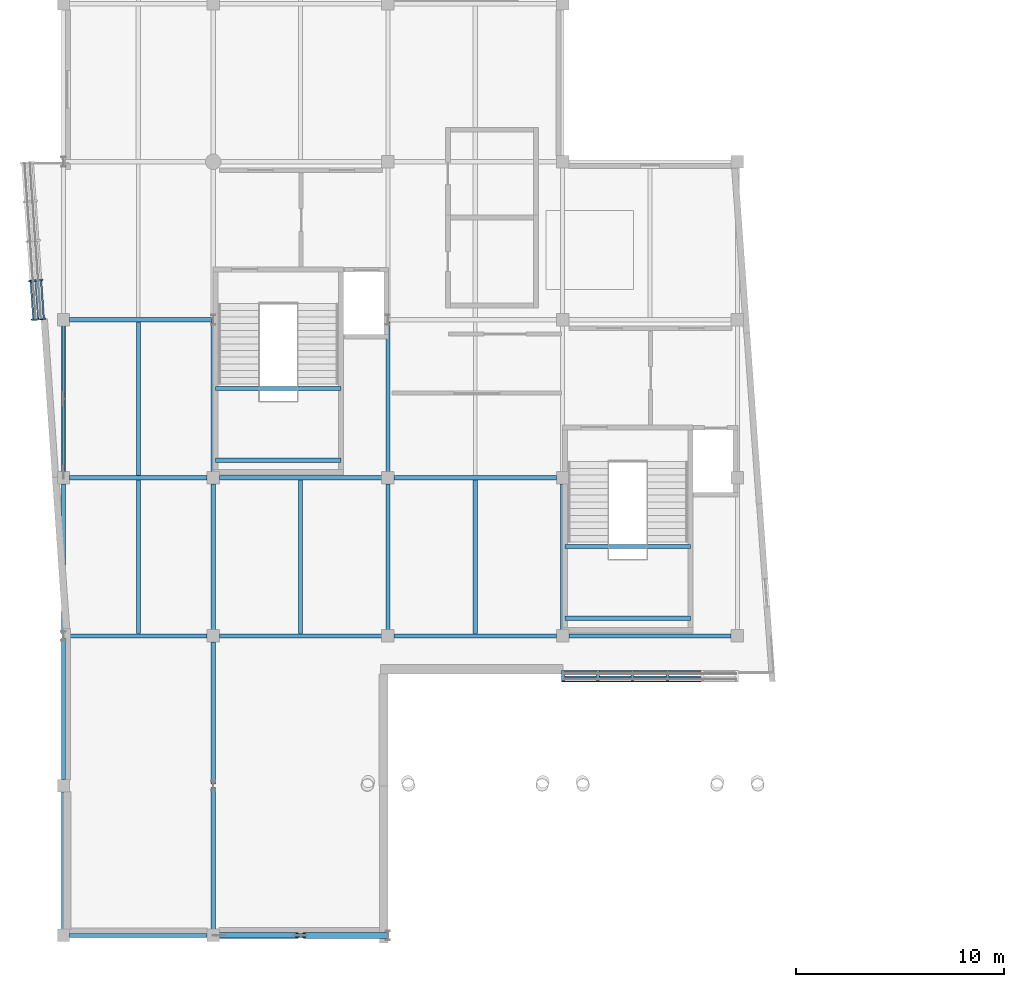
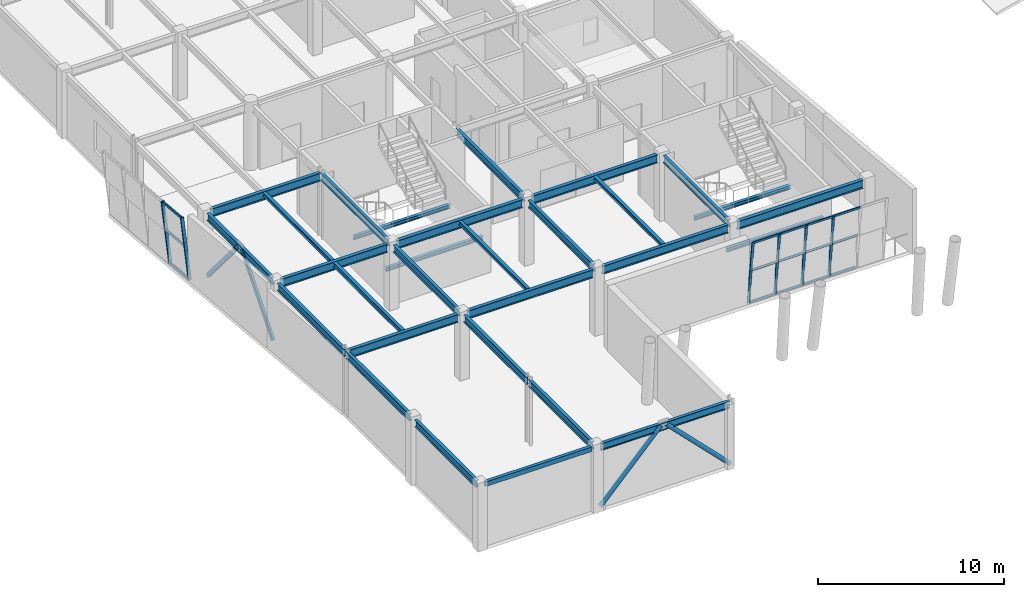
# One storey, part 9 of 28: 29 beams, 25 members, 2 elements without a shape of their own.
"""IFC4 building model written with IfcOpenShell, lengths in metres."""

import ifcopenshell
import ifcopenshell.guid

model = None  # the IFC model being written
_history = None  # IfcOwnerHistory: only IFC2X3 demands one
_inside = {}  # id of a spatial element -> (the spatial element, [elements in it])
_under = {}  # id of a project, library or spatial element -> (it, [spatial elements below it])
_declared = {}  # id of a project -> (the project, [libraries it declares])
_typed = {}  # id of a type object -> (the type object, [elements of that type])
_made_of = {}  # id of a material, layer set ... -> (it, [elements and type objects made of it])


def new_model(schema):
    """Start an empty IFC model of exactly this schema.

    Asked for "IFC4X3", IfcOpenShell would pick the latest addendum, in which some entities
    have other attributes; the version numbers below select the first issue.
    IFC2X3 requires an IfcOwnerHistory on every rooted entity: one is made here for all.
    """
    global model, _history
    if schema == "IFC4X3":
        model = ifcopenshell.file(schema_version=(4, 3, 0, 0))
    else:
        model = ifcopenshell.file(schema=schema)
    _inside.clear()
    _under.clear()
    _declared.clear()
    _typed.clear()
    _made_of.clear()
    _history = None
    if model.schema == "IFC2X3":
        org = make("IfcOrganization", Name="unknown")
        user = make(
            "IfcPersonAndOrganization",
            ThePerson=make("IfcPerson", FamilyName="unknown"),
            TheOrganization=org,
        )
        app = make(
            "IfcApplication",
            ApplicationDeveloper=org,
            Version="unknown",
            ApplicationFullName="unknown",
            ApplicationIdentifier="unknown",
        )
        _history = make(
            "IfcOwnerHistory",
            OwningUser=user,
            OwningApplication=app,
            ChangeAction="ADDED",
            CreationDate=0,
        )
    return model


def make(cls, **values):
    """One entity of the class cls with the attributes given. An attribute that is None is left unset."""
    return model.create_entity(
        cls, **{name: value for name, value in values.items() if value is not None}
    )


def rooted(cls, **values):
    """An entity with a GlobalId (a new one), such as an element, a storey or a relation."""
    return make(cls, GlobalId=ifcopenshell.guid.new(), OwnerHistory=_history, **values)


def si_unit(unit_type, name, prefix=None):
    """IfcSIUnit, for example si_unit("LENGTHUNIT", "METRE", prefix="MILLI")."""
    return make("IfcSIUnit", UnitType=unit_type, Prefix=prefix, Name=name)


def assignment(units):
    """IfcUnitAssignment: the units of a project."""
    return None if units is None else make("IfcUnitAssignment", Units=units)


def point(xyz):
    """IfcCartesianPoint."""
    return None if xyz is None else make("IfcCartesianPoint", Coordinates=xyz)


def direction(xyz):
    """IfcDirection."""
    return None if xyz is None else make("IfcDirection", DirectionRatios=xyz)


def frame(location, z_axis=None, x_axis=None):
    """IfcAxis2Placement3D, a coordinate frame: its origin and axes. An axis left out is left unset."""
    return make(
        "IfcAxis2Placement3D",
        Location=point(location),
        Axis=direction(z_axis),
        RefDirection=direction(x_axis),
    )


def frame_2d(location, x_axis=None):
    """IfcAxis2Placement2D, a coordinate frame in the plane: its origin and x axis."""
    return make(
        "IfcAxis2Placement2D", Location=point(location), RefDirection=direction(x_axis)
    )


def origin():
    """The frame at (0, 0, 0) with its axes left unset."""
    return frame((0.0, 0.0, 0.0))


def origin_2d():
    """The frame at (0, 0) in the plane with its x axis left unset."""
    return frame_2d((0.0, 0.0))


def place(relative_to, where):
    """IfcLocalPlacement: puts the frame where relative to a parent placement (None: the world)."""
    return make(
        "IfcLocalPlacement", PlacementRelTo=relative_to, RelativePlacement=where
    )


def context(
    kind, dimensions, precision=None, world=None, true_north=None, identifier=None
):
    """IfcGeometricRepresentationContext, for example the 3D "Model" context."""
    return make(
        "IfcGeometricRepresentationContext",
        ContextIdentifier=identifier,
        ContextType=kind,
        CoordinateSpaceDimension=dimensions,
        Precision=precision,
        WorldCoordinateSystem=world,
        TrueNorth=true_north,
    )


def subcontext(parent, identifier, kind, view, scale=None):
    """IfcGeometricRepresentationSubContext, for example "Body" below "Model"."""
    return make(
        "IfcGeometricRepresentationSubContext",
        ContextIdentifier=identifier,
        ContextType=kind,
        ParentContext=parent,
        TargetScale=scale,
        TargetView=view,
    )


def project(units=None, contexts=None):
    """IfcProject with its units and contexts."""
    return rooted(
        "IfcProject",
        Name="project",
        RepresentationContexts=contexts,
        UnitsInContext=assignment(units),
    )


def spatial(cls, under=None, at=None, **own):
    """A site, building, storey or space (cls), placed at a placement, below another one or the project."""
    s = rooted(cls, ObjectPlacement=at, **own)
    if under is not None:
        _under.setdefault(under.id(), (under, []))[1].append(s)
    return s


def profile(cls, at=None, kind="AREA", **sizes):
    """A parametric profile (cls). Its sizes go by their IFC names, for example OverallWidth=200.0."""
    return make(cls, ProfileType=kind, Position=at, **sizes)


def hollow_rectangle(**sizes):
    """IfcRectangleHollowProfileDef."""
    return profile("IfcRectangleHollowProfileDef", **sizes)


def hollow_circle(**sizes):
    """IfcCircleHollowProfileDef."""
    return profile("IfcCircleHollowProfileDef", **sizes)


def i_section(**sizes):
    """IfcIShapeProfileDef."""
    return profile("IfcIShapeProfileDef", **sizes)


def extrude(swept, where, along, depth):
    """IfcExtrudedAreaSolid: the profile swept, set in the frame where, extruded along a direction by depth."""
    return make(
        "IfcExtrudedAreaSolid",
        SweptArea=swept,
        Position=where,
        ExtrudedDirection=direction(along),
        Depth=depth,
    )


def shape(context_of_items, identifier, shape_type, items):
    """IfcShapeRepresentation: the items that make up one representation, for example the "Body"."""
    return make(
        "IfcShapeRepresentation",
        ContextOfItems=context_of_items,
        RepresentationIdentifier=identifier,
        RepresentationType=shape_type,
        Items=items,
    )


def material(Name=None, Category=None):
    """IfcMaterial."""
    return make("IfcMaterial", Name=Name, Category=Category)


def layer(
    of_material, thickness, ventilated=None, Name=None, Category=None, Priority=None
):
    """IfcMaterialLayer: one layer of a wall or slab, of a material (None: an air gap)."""
    return make(
        "IfcMaterialLayer",
        Material=of_material,
        LayerThickness=thickness,
        IsVentilated=ventilated,
        Name=Name,
        Category=Category,
        Priority=Priority,
    )


def layer_set(layers, Name=None):
    """IfcMaterialLayerSet."""
    return make("IfcMaterialLayerSet", MaterialLayers=layers, LayerSetName=Name)


def material_profile(
    of_material, cross_section, Name=None, Category=None, Priority=None
):
    """IfcMaterialProfile: a cross section and its material."""
    return make(
        "IfcMaterialProfile",
        Name=Name,
        Material=of_material,
        Profile=cross_section,
        Priority=Priority,
        Category=Category,
    )


def profile_set(profiles, Name=None, composite=None):
    """IfcMaterialProfileSet."""
    return make(
        "IfcMaterialProfileSet",
        Name=Name,
        MaterialProfiles=profiles,
        CompositeProfile=composite,
    )


def made_of(thing, what):
    """Note that an element or type object is made of a material, layer set ...; save() writes the relation."""
    if what is not None:
        _made_of.setdefault(what.id(), (what, []))[1].append(thing)
    return thing


def type_object(cls, material=None, **own):
    """A type object (cls), such as IfcWallType, which elements share."""
    return made_of(rooted(cls, **own), material)


def element(
    cls,
    number,
    at=None,
    inside=None,
    cuts=None,
    type_object=None,
    material=None,
    context=None,
    identifier="Body",
    shape_type=None,
    held_by="IfcProductDefinitionShape",
    body=None,
    shapes=None,
    **own,
):
    """One element of the class cls, such as IfcWall. Its Tag is "e" and its number.

    at: its placement. inside: the storey or other place that contains it. cuts: it is an
    opening in that element (IfcRelVoidsElement). A single representation is given by context,
    identifier, shape_type and body (its items); several are given by shapes. held_by: the class
    of the entity that holds the representations. save() writes the other relations.
    """
    e = rooted(cls, Tag="e%d" % number, ObjectPlacement=at, **own)
    if body is not None:
        shapes = [shape(context, identifier, shape_type, body)]
    if shapes is not None:
        e.Representation = make(held_by, Representations=shapes)
    if inside is not None:
        _inside.setdefault(inside.id(), (inside, []))[1].append(e)
    if cuts is not None:
        rooted(
            "IfcRelVoidsElement", RelatingBuildingElement=cuts, RelatedOpeningElement=e
        )
    if type_object is not None:
        _typed.setdefault(type_object.id(), (type_object, []))[1].append(e)
    return made_of(e, material)


def aggregate(whole, parts):
    """IfcRelAggregates: a whole, such as a stair, and the parts it consists of."""
    return rooted("IfcRelAggregates", RelatingObject=whole, RelatedObjects=parts)


def save(model, path):
    """Write the relations noted so far, then the file.

    IfcRelAggregates (storeys below a building ...), IfcRelContainedInSpatialStructure (elements
    in a storey), IfcRelDefinesByType, IfcRelAssociatesMaterial and IfcRelDeclares: one each for
    every whole, place, type object, material and project.
    """
    for whole, parts in _under.values():
        aggregate(whole, parts)
    for where, things in _inside.values():
        rooted(
            "IfcRelContainedInSpatialStructure",
            RelatedElements=things,
            RelatingStructure=where,
        )
    for kind, things in _typed.values():
        rooted("IfcRelDefinesByType", RelatedObjects=things, RelatingType=kind)
    for what, things in _made_of.values():
        rooted("IfcRelAssociatesMaterial", RelatedObjects=things, RelatingMaterial=what)
    for by, libraries in _declared.values():
        rooted("IfcRelDeclares", RelatingContext=by, RelatedDefinitions=libraries)
    model.write(path)


model = new_model("IFC4")

# Units and contexts
model_context = context("Model", 3, precision=1e-05, world=origin(), true_north=direction((0.0, 1.0)))
body_context = subcontext(model_context, "Body", "Model", "MODEL_VIEW")
ifc_project = project(units=[si_unit("LENGTHUNIT", "METRE"), si_unit("AREAUNIT", "SQUARE_METRE"), si_unit("VOLUMEUNIT", "CUBIC_METRE"), si_unit("PLANEANGLEUNIT", "RADIAN"), si_unit("MASSUNIT", "GRAM", prefix="KILO")], contexts=[model_context])

# Site, building, storey
site_placement = place(None, origin())
site = spatial("IfcSite", under=ifc_project, at=site_placement, CompositionType="ELEMENT")
building_placement = place(site_placement, origin())
building = spatial("IfcBuilding", under=site, at=building_placement, Name="Xicomal Pleat Aquarium", CompositionType="ELEMENT")
storey_placement = place(building_placement, frame((0.0, 0.0, 15.300048828125)))
storey = spatial("IfcBuildingStorey", under=building, at=storey_placement, Name="L04", CompositionType="ELEMENT", Elevation=15.300048828125)

# Beams
ifc_material_1 = material(Name="Structural steel A992 Gr 50", Category="steel")
ifc_material_profile_1 = material_profile(ifc_material_1, i_section(OverallWidth=0.201904296875, OverallDepth=0.2470703125, WebThickness=0.00732421875, FlangeThickness=0.010986328125, at=origin_2d()), Name="IR 250x49")
ifc_profile_set_1 = profile_set([ifc_material_profile_1], Name="Structural steel A992 Gr 50")
beam_type_1 = type_object("IfcBeamType", Name="BM-STL-IR250", PredefinedType="JOIST", material=ifc_profile_set_1)
beam_1_placement = place(storey_placement, frame((6.60009765625, 22.908935546875, 4.16650390625), z_axis=(0.0, 1.0, 0.0), x_axis=(-1.0, 0.0, 0.0)))
element("IfcBeam", 1, at=beam_1_placement, inside=storey, type_object=beam_type_1, Name="L04 framing beam FBJ-L04-01-D-1", PredefinedType="JOIST", context=body_context, shape_type="SweptSolid", body=[
    extrude(i_section(OverallWidth=0.201904296875, OverallDepth=0.2470703125, WebThickness=0.00732421875, FlangeThickness=0.010986328125, at=origin_2d()), origin(), (0.0, 0.0, 1.0), 7.382080078125),
])
for number, where, z_axis, x_axis, name in (
    (2, (14.39990234375, 15.30908203125, 4.16650390625), (0.0, 1.0, 0.0), (-1.0, 0.0, 0.0), "L04 framing beam FBJ-L04-02-C-1"),
    (3, (22.800048828125, 15.30908203125, 4.16650390625), (0.0, 1.0, 0.0), (-1.0, 0.0, 0.0), "L04 framing beam FBJ-L04-03-C-1"),
):
    element("IfcBeam", number, at=place(storey_placement, frame(where, z_axis=z_axis, x_axis=x_axis)), inside=storey, type_object=beam_type_1, Name=name, PredefinedType="JOIST", context=body_context, shape_type="SweptSolid", body=[
        extrude(i_section(OverallWidth=0.201904296875, OverallDepth=0.2470703125, WebThickness=0.00732421875, FlangeThickness=0.010986328125, at=origin_2d()), origin(), (0.0, 0.0, 1.0), 7.3818359375),
    ])
for number, where, z_axis, x_axis, name in (
    (4, (10.320068359375, 23.64990234375, 1.928955078125), (1.0, 0.0, 0.0), (0.0, 1.0, 0.0), "ST-01-L04 half-landing bearer beam 1"),
    (5, (10.320068359375, 27.095947265625, 1.928955078125), (1.0, 0.0, 0.0), (0.0, 1.0, 0.0), "ST-01-L04 half-landing bearer beam 2"),
):
    element("IfcBeam", number, at=place(storey_placement, frame(where, z_axis=z_axis, x_axis=x_axis)), inside=storey, type_object=beam_type_1, Name=name, PredefinedType="JOIST", context=body_context, shape_type="SweptSolid", body=[
        extrude(i_section(OverallWidth=0.201904296875, OverallDepth=0.2470703125, WebThickness=0.00732421875, FlangeThickness=0.010986328125, at=origin_2d()), origin(), (0.0, 0.0, 1.0), 6.02001953125),
    ])
for number, where, z_axis, x_axis, name in (
    (6, (27.1201171875, 16.050048828125, 1.928955078125), (1.0, 0.0, 0.0), (0.0, 1.0, 0.0), "ST-02-L04 half-landing bearer beam 1"),
    (7, (27.1201171875, 19.49609375, 1.928955078125), (1.0, 0.0, 0.0), (0.0, 1.0, 0.0), "ST-02-L04 half-landing bearer beam 2"),
):
    element("IfcBeam", number, at=place(storey_placement, frame(where, z_axis=z_axis, x_axis=x_axis)), inside=storey, type_object=beam_type_1, Name=name, PredefinedType="JOIST", context=body_context, shape_type="SweptSolid", body=[
        extrude(i_section(OverallWidth=0.201904296875, OverallDepth=0.2470703125, WebThickness=0.00732421875, FlangeThickness=0.010986328125, at=origin_2d()), origin(), (0.0, 0.0, 1.0), 6.019775390625),
    ])
ifc_material_2 = material(Name="Structural steel A992 Gr 50", Category="steel")
ifc_material_profile_2 = material_profile(ifc_material_2, i_section(OverallWidth=0.202880859375, OverallDepth=0.302978515625, WebThickness=0.007568359375, FlangeThickness=0.01318359375, at=origin_2d()), Name="IR 310x60")
ifc_profile_set_2 = profile_set([ifc_material_profile_2], Name="Structural steel A992 Gr 50")
beam_type_2 = type_object("IfcBeamType", Name="BM-STL-IR310", PredefinedType="JOIST", material=ifc_profile_set_2)
beam_2_placement = place(storey_placement, frame((6.60009765625, 15.30908203125, 4.138427734375), z_axis=(0.0, 1.0, 0.0), x_axis=(-1.0, 0.0, 0.0)))
element("IfcBeam", 8, at=beam_2_placement, inside=storey, type_object=beam_type_2, Name="L04 framing beam FBJ-L04-01-C-1", PredefinedType="JOIST", context=body_context, shape_type="SweptSolid", body=[
    extrude(i_section(OverallWidth=0.202880859375, OverallDepth=0.302978515625, WebThickness=0.007568359375, FlangeThickness=0.01318359375, at=origin_2d()), origin(), (0.0, 0.0, 1.0), 7.3818359375),
])
ifc_material_3 = material(Name="Structural steel A992 Gr 50", Category="steel")
ifc_material_profile_3 = material_profile(ifc_material_3, i_section(OverallWidth=0.194091796875, OverallDepth=0.468994140625, WebThickness=0.0126953125, FlangeThickness=0.0205078125, at=origin_2d()), Name="IR 460x106")
ifc_profile_set_3 = profile_set([ifc_material_profile_3], Name="Structural steel A992 Gr 50")
beam_type_3 = type_object("IfcBeamType", Name="BM-STL-IR460", PredefinedType="BEAM", material=ifc_profile_set_3)
beam_3_placement = place(storey_placement, frame((10.4951171875, 0.800048828125, 4.055419921875), z_axis=(1.0, 0.0, 0.0), x_axis=(0.0, 1.0, 0.0)))
element("IfcBeam", 9, at=beam_3_placement, inside=storey, type_object=beam_type_3, Name="L04 framing beam FGX-L04-02-03-A", PredefinedType="BEAM", context=body_context, shape_type="SweptSolid", body=[
    extrude(i_section(OverallWidth=0.194091796875, OverallDepth=0.468994140625, WebThickness=0.0126953125, FlangeThickness=0.0205078125, at=origin_2d()), origin(), (0.0, 0.0, 1.0), 8.012939453125),
])
beam_4_placement = place(storey_placement, frame((3.0, 1.094970703125, 4.055419921875), z_axis=(0.0, 1.0, 0.0), x_axis=(-1.0, 0.0, 0.0)))
element("IfcBeam", 10, at=beam_4_placement, inside=storey, type_object=beam_type_3, Name="L04 framing beam FGY-L04-01-A-B", PredefinedType="BEAM", context=body_context, shape_type="SweptSolid", body=[
    extrude(i_section(OverallWidth=0.194091796875, OverallDepth=0.468994140625, WebThickness=0.0126953125, FlangeThickness=0.0205078125, at=origin_2d()), origin(), (0.0, 0.0, 1.0), 6.610107421875),
])
beam_5_placement = place(storey_placement, frame((3.0, 8.294921875, 4.055419921875), z_axis=(0.0, 1.0, 0.0), x_axis=(-1.0, 0.0, 0.0)))
element("IfcBeam", 11, at=beam_5_placement, inside=storey, type_object=beam_type_3, Name="L04 framing beam FGY-L04-01-B-C", PredefinedType="BEAM", context=body_context, shape_type="SweptSolid", body=[
    extrude(i_section(OverallWidth=0.194091796875, OverallDepth=0.468994140625, WebThickness=0.0126953125, FlangeThickness=0.0205078125, at=origin_2d()), origin(), (0.0, 0.0, 1.0), 6.81298828125),
])
beam_6_placement = place(storey_placement, frame((3.0, 15.2919921875, 4.055419921875), z_axis=(0.0, 1.0, 0.0), x_axis=(-1.0, 0.0, 0.0)))
element("IfcBeam", 12, at=beam_6_placement, inside=storey, type_object=beam_type_3, Name="L04 framing beam FGY-L04-01-C-D", PredefinedType="BEAM", context=body_context, shape_type="SweptSolid", body=[
    extrude(i_section(OverallWidth=0.194091796875, OverallDepth=0.468994140625, WebThickness=0.0126953125, FlangeThickness=0.0205078125, at=origin_2d()), origin(), (0.0, 0.0, 1.0), 7.212890625),
])
beam_7_placement = place(storey_placement, frame((3.0, 23.094970703125, 4.055419921875), z_axis=(0.0, 1.0, 0.0), x_axis=(-1.0, 0.0, 0.0)))
element("IfcBeam", 13, at=beam_7_placement, inside=storey, type_object=beam_type_3, Name="L04 framing beam FGY-L04-01-D-E", PredefinedType="BEAM", context=body_context, shape_type="SweptSolid", body=[
    extrude(i_section(OverallWidth=0.194091796875, OverallDepth=0.468994140625, WebThickness=0.0126953125, FlangeThickness=0.0205078125, at=origin_2d()), origin(), (0.0, 0.0, 1.0), 7.010009765625),
])
for number, where, z_axis, x_axis, name in (
    (14, (10.199951171875, 1.094970703125, 4.055419921875), (0.0, 1.0, 0.0), (-1.0, 0.0, 0.0), "L04 framing beam FGY-L04-02-A-B"),
    (15, (10.199951171875, 8.092041015625, 4.055419921875), (0.0, 1.0, 0.0), (-1.0, 0.0, 0.0), "L04 framing beam FGY-L04-02-B-C"),
):
    element("IfcBeam", number, at=place(storey_placement, frame(where, z_axis=z_axis, x_axis=x_axis)), inside=storey, type_object=beam_type_3, Name=name, PredefinedType="BEAM", context=body_context, shape_type="SweptSolid", body=[
        extrude(i_section(OverallWidth=0.194091796875, OverallDepth=0.468994140625, WebThickness=0.0126953125, FlangeThickness=0.0205078125, at=origin_2d()), origin(), (0.0, 0.0, 1.0), 6.81298828125),
    ])
beam_8_placement = place(storey_placement, frame((10.199951171875, 15.4951171875, 4.055419921875), z_axis=(0.0, 1.0, 0.0), x_axis=(-1.0, 0.0, 0.0)))
element("IfcBeam", 16, at=beam_8_placement, inside=storey, type_object=beam_type_3, Name="L04 framing beam FGY-L04-02-C-D", PredefinedType="BEAM", context=body_context, shape_type="SweptSolid", body=[
    extrude(i_section(OverallWidth=0.194091796875, OverallDepth=0.468994140625, WebThickness=0.0126953125, FlangeThickness=0.0205078125, at=origin_2d()), origin(), (0.0, 0.0, 1.0), 7.009765625),
])
beam_9_placement = place(storey_placement, frame((10.199951171875, 23.094970703125, 4.055419921875), z_axis=(0.0, 1.0, 0.0), x_axis=(-1.0, 0.0, 0.0)))
element("IfcBeam", 17, at=beam_9_placement, inside=storey, type_object=beam_type_3, Name="L04 framing beam FGY-L04-02-D-E", PredefinedType="BEAM", context=body_context, shape_type="SweptSolid", body=[
    extrude(i_section(OverallWidth=0.194091796875, OverallDepth=0.468994140625, WebThickness=0.0126953125, FlangeThickness=0.0205078125, at=origin_2d()), origin(), (0.0, 0.0, 1.0), 7.213134765625),
])
beam_10_placement = place(storey_placement, frame((18.60009765625, 15.4951171875, 4.055419921875), z_axis=(0.0, 1.0, 0.0), x_axis=(-1.0, 0.0, 0.0)))
element("IfcBeam", 18, at=beam_10_placement, inside=storey, type_object=beam_type_3, Name="L04 framing beam FGY-L04-03-C-D", PredefinedType="BEAM", context=body_context, shape_type="SweptSolid", body=[
    extrude(i_section(OverallWidth=0.194091796875, OverallDepth=0.468994140625, WebThickness=0.0126953125, FlangeThickness=0.0205078125, at=origin_2d()), origin(), (0.0, 0.0, 1.0), 7.009765625),
])
beam_11_placement = place(storey_placement, frame((18.60009765625, 23.094970703125, 4.055419921875), z_axis=(0.0, 1.0, 0.0), x_axis=(-1.0, 0.0, 0.0)))
element("IfcBeam", 19, at=beam_11_placement, inside=storey, type_object=beam_type_3, Name="L04 framing beam FGY-L04-03-D-E", PredefinedType="BEAM", context=body_context, shape_type="SweptSolid", body=[
    extrude(i_section(OverallWidth=0.194091796875, OverallDepth=0.468994140625, WebThickness=0.0126953125, FlangeThickness=0.0205078125, at=origin_2d()), origin(), (0.0, 0.0, 1.0), 7.213134765625),
])
beam_12_placement = place(storey_placement, frame((27.0, 15.4951171875, 4.055419921875), z_axis=(0.0, 1.0, 0.0), x_axis=(-1.0, 0.0, 0.0)))
element("IfcBeam", 20, at=beam_12_placement, inside=storey, type_object=beam_type_3, Name="L04 framing beam FGY-L04-04-C-D", PredefinedType="BEAM", context=body_context, shape_type="SweptSolid", body=[
    extrude(i_section(OverallWidth=0.194091796875, OverallDepth=0.468994140625, WebThickness=0.0126953125, FlangeThickness=0.0205078125, at=origin_2d()), origin(), (0.0, 0.0, 1.0), 7.009765625),
])
ifc_material_4 = material(Name="Structural steel A992 Gr 50", Category="steel")
ifc_material_profile_4 = material_profile(ifc_material_4, i_section(OverallWidth=0.2119140625, OverallDepth=0.5439453125, WebThickness=0.01318359375, FlangeThickness=0.021240234375, at=origin_2d()), Name="IR 530x123")
ifc_profile_set_4 = profile_set([ifc_material_profile_4], Name="Structural steel A992 Gr 50")
beam_type_4 = type_object("IfcBeamType", Name="BM-STL-IR530", PredefinedType="BEAM", material=ifc_profile_set_4)
beam_13_placement = place(storey_placement, frame((3.092041015625, 15.199951171875, 4.01806640625), z_axis=(1.0, 0.0, 0.0), x_axis=(0.0, 1.0, 0.0)))
element("IfcBeam", 21, at=beam_13_placement, inside=storey, type_object=beam_type_4, Name="L04 framing beam FGX-L04-01-02-C", PredefinedType="BEAM", context=body_context, shape_type="SweptSolid", body=[
    extrude(i_section(OverallWidth=0.2119140625, OverallDepth=0.5439453125, WebThickness=0.01318359375, FlangeThickness=0.021240234375, at=origin_2d()), origin(), (0.0, 0.0, 1.0), 6.81298828125),
])
beam_14_placement = place(storey_placement, frame((10.4951171875, 15.199951171875, 4.01806640625), z_axis=(1.0, 0.0, 0.0), x_axis=(0.0, 1.0, 0.0)))
element("IfcBeam", 22, at=beam_14_placement, inside=storey, type_object=beam_type_4, Name="L04 framing beam FGX-L04-02-03-C", PredefinedType="BEAM", context=body_context, shape_type="SweptSolid", body=[
    extrude(i_section(OverallWidth=0.2119140625, OverallDepth=0.5439453125, WebThickness=0.01318359375, FlangeThickness=0.021240234375, at=origin_2d()), origin(), (0.0, 0.0, 1.0), 7.809814453125),
])
for number, where, z_axis, x_axis, name in (
    (23, (18.89501953125, 15.199951171875, 4.01806640625), (1.0, 0.0, 0.0), (0.0, 1.0, 0.0), "L04 framing beam FGX-L04-03-04-C"),
    (24, (27.294921875, 15.199951171875, 4.01806640625), (1.0, 0.0, 0.0), (0.0, 1.0, 0.0), "L04 framing beam FGX-L04-04-05-C"),
):
    element("IfcBeam", number, at=place(storey_placement, frame(where, z_axis=z_axis, x_axis=x_axis)), inside=storey, type_object=beam_type_4, Name=name, PredefinedType="BEAM", context=body_context, shape_type="SweptSolid", body=[
        extrude(i_section(OverallWidth=0.2119140625, OverallDepth=0.5439453125, WebThickness=0.01318359375, FlangeThickness=0.021240234375, at=origin_2d()), origin(), (0.0, 0.0, 1.0), 7.81005859375),
    ])
beam_15_placement = place(storey_placement, frame((3.294921875, 22.800048828125, 4.01806640625), z_axis=(1.0, 0.0, 0.0), x_axis=(0.0, 1.0, 0.0)))
element("IfcBeam", 25, at=beam_15_placement, inside=storey, type_object=beam_type_4, Name="L04 framing beam FGX-L04-01-02-D", PredefinedType="BEAM", context=body_context, shape_type="SweptSolid", body=[
    extrude(i_section(OverallWidth=0.2119140625, OverallDepth=0.5439453125, WebThickness=0.01318359375, FlangeThickness=0.021240234375, at=origin_2d()), origin(), (0.0, 0.0, 1.0), 6.610107421875),
])
beam_16_placement = place(storey_placement, frame((10.4951171875, 22.800048828125, 4.01806640625), z_axis=(1.0, 0.0, 0.0), x_axis=(0.0, 1.0, 0.0)))
element("IfcBeam", 26, at=beam_16_placement, inside=storey, type_object=beam_type_4, Name="L04 framing beam FGX-L04-02-03-D", PredefinedType="BEAM", context=body_context, shape_type="SweptSolid", body=[
    extrude(i_section(OverallWidth=0.2119140625, OverallDepth=0.5439453125, WebThickness=0.01318359375, FlangeThickness=0.021240234375, at=origin_2d()), origin(), (0.0, 0.0, 1.0), 7.809814453125),
])
beam_17_placement = place(storey_placement, frame((18.89501953125, 22.800048828125, 4.01806640625), z_axis=(1.0, 0.0, 0.0), x_axis=(0.0, 1.0, 0.0)))
element("IfcBeam", 27, at=beam_17_placement, inside=storey, type_object=beam_type_4, Name="L04 framing beam FGX-L04-03-04-D", PredefinedType="BEAM", context=body_context, shape_type="SweptSolid", body=[
    extrude(i_section(OverallWidth=0.2119140625, OverallDepth=0.5439453125, WebThickness=0.01318359375, FlangeThickness=0.021240234375, at=origin_2d()), origin(), (0.0, 0.0, 1.0), 7.81005859375),
])
beam_18_placement = place(storey_placement, frame((3.294921875, 30.39990234375, 4.01806640625), z_axis=(1.0, 0.0, 0.0), x_axis=(0.0, 1.0, 0.0)))
element("IfcBeam", 28, at=beam_18_placement, inside=storey, type_object=beam_type_4, Name="L04 framing beam FGX-L04-01-02-E", PredefinedType="BEAM", context=body_context, shape_type="SweptSolid", body=[
    extrude(i_section(OverallWidth=0.2119140625, OverallDepth=0.5439453125, WebThickness=0.01318359375, FlangeThickness=0.021240234375, at=origin_2d()), origin(), (0.0, 0.0, 1.0), 6.81298828125),
])
ifc_material_5 = material(Name="Structural steel A500 Gr C", Category="steel")
ifc_material_profile_5 = material_profile(ifc_material_5, hollow_rectangle(XDim=0.199951171875, YDim=0.300048828125, WallThickness=0.011962890625, at=origin_2d()), Name="OR 300x200x12")
ifc_profile_set_5 = profile_set([ifc_material_profile_5], Name="Structural steel A500 Gr C")
beam_type_5 = type_object("IfcBeamType", Name="BM-STL-OR300", PredefinedType="SPANDREL", material=ifc_profile_set_5)
beam_19_placement = place(storey_placement, frame((3.294921875, 0.800048828125, 4.139892578125), z_axis=(1.0, 0.0, 0.0), x_axis=(0.0, 1.0, 0.0)))
element("IfcBeam", 29, at=beam_19_placement, inside=storey, type_object=beam_type_5, Name="L04 framing beam FGX-L04-01-02-A", PredefinedType="SPANDREL", context=body_context, shape_type="SweptSolid", body=[
    extrude(hollow_rectangle(XDim=0.199951171875, YDim=0.300048828125, WallThickness=0.011962890625, at=origin_2d()), origin(), (0.0, 0.0, 1.0), 6.610107421875),
])

# Curtain wall, members
ifc_material_6 = material(Name="Bronze anodized aluminium 6063-T6", Category="aluminium")
ifc_layer_1 = layer(ifc_material_6, 0.159912109375)
ifc_layer_set_1 = layer_set([ifc_layer_1], Name="Bronze anodized aluminium 6063-T6")
curtain_wall_type_1 = type_object("IfcCurtainWallType", Name="CW-SYS-04", PredefinedType="NOTDEFINED", material=ifc_layer_set_1)
curtain_wall_1_placement = place(storey_placement, origin())
curtain_wall_1 = element("IfcCurtainWall", 30, at=curtain_wall_1_placement, inside=storey, type_object=curtain_wall_type_1, Name="L04 unitised curtain wall CW-L04-171", PredefinedType="NOTDEFINED")
ifc_material_7 = material(Name="Bronze anodized aluminium 6063-T6", Category="aluminium")
ifc_material_profile_6 = material_profile(ifc_material_7, hollow_rectangle(XDim=0.06494140625, YDim=0.159912109375, WallThickness=0.00390625, at=origin_2d()), Name="ALU MULL 65x160")
ifc_profile_set_6 = profile_set([ifc_material_profile_6], Name="Bronze anodized aluminium 6063-T6")
member_type_1 = type_object("IfcMemberType", Name="CWM-65x160", PredefinedType="MULLION", material=ifc_profile_set_6)
member_1_placement = place(storey_placement, frame((32.0400390625, 13.52001953125, 0.0), z_axis=(0.0, -0.118441067113, 0.992961083639), x_axis=(0.0, -0.992961083639, -0.118441067113)))
member_1 = element("IfcMember", 31, at=member_1_placement, type_object=member_type_1, Name="CW-04 mullion 3", PredefinedType="MULLION", context=body_context, shape_type="SweptSolid", body=[
    extrude(hollow_rectangle(XDim=0.06494140625, YDim=0.159912109375, WallThickness=0.00390625, at=origin_2d()), origin(), (0.0, 0.0, 1.0), 4.320556640625),
])
member_2_placement = place(storey_placement, frame((30.360107421875, 13.52001953125, 0.0), z_axis=(0.0, -0.118441067113, 0.992961083639), x_axis=(0.0, -0.992961083639, -0.118441067113)))
member_2 = element("IfcMember", 32, at=member_2_placement, type_object=member_type_1, Name="CW-04 mullion 4", PredefinedType="MULLION", context=body_context, shape_type="SweptSolid", body=[
    extrude(hollow_rectangle(XDim=0.06494140625, YDim=0.159912109375, WallThickness=0.00390625, at=origin_2d()), origin(), (0.0, 0.0, 1.0), 4.320556640625),
])
member_3_placement = place(storey_placement, frame((28.679931640625, 13.52001953125, 0.0), z_axis=(0.0, -0.118441067113, 0.992961083639), x_axis=(0.0, -0.992961083639, -0.118441067113)))
member_3 = element("IfcMember", 33, at=member_3_placement, type_object=member_type_1, Name="CW-04 mullion 5", PredefinedType="MULLION", context=body_context, shape_type="SweptSolid", body=[
    extrude(hollow_rectangle(XDim=0.06494140625, YDim=0.159912109375, WallThickness=0.00390625, at=origin_2d()), origin(), (0.0, 0.0, 1.0), 4.320556640625),
])
member_4_placement = place(storey_placement, frame((27.032470703125, 13.52001953125, 0.0), z_axis=(0.0, -0.118441067113, 0.992961083639), x_axis=(0.0, -0.992961083639, -0.118441067113)))
member_4 = element("IfcMember", 34, at=member_4_placement, type_object=member_type_1, Name="CW-04 mullion 6", PredefinedType="MULLION", context=body_context, shape_type="SweptSolid", body=[
    extrude(hollow_rectangle(XDim=0.06494140625, YDim=0.159912109375, WallThickness=0.00390625, at=origin_2d()), origin(), (0.0, 0.0, 1.0), 4.320556640625),
])

ifc_material_8 = material(Name="Bronze anodized aluminium 6063-T6", Category="aluminium")
ifc_layer_2 = layer(ifc_material_8, 0.159912109375)
ifc_layer_set_2 = layer_set([ifc_layer_2], Name="Bronze anodized aluminium 6063-T6")
curtain_wall_type_2 = type_object("IfcCurtainWallType", Name="CW-SYS-09", PredefinedType="NOTDEFINED", material=ifc_layer_set_2)
curtain_wall_2_placement = place(storey_placement, origin())
curtain_wall_2 = element("IfcCurtainWall", 35, at=curtain_wall_2_placement, inside=storey, type_object=curtain_wall_type_2, Name="L04 unitised curtain wall CW-L04-172", PredefinedType="NOTDEFINED")
ifc_material_9 = material(Name="Bronze anodized aluminium 6063-T6", Category="aluminium")
ifc_material_profile_7 = material_profile(ifc_material_9, hollow_rectangle(XDim=0.074951171875, YDim=0.199951171875, WallThickness=0.00439453125, at=origin_2d()), Name="ALU MULL 75x200")
ifc_profile_set_7 = profile_set([ifc_material_profile_7], Name="Bronze anodized aluminium 6063-T6")
member_type_2 = type_object("IfcMemberType", Name="CWM-75x200", PredefinedType="MULLION", material=ifc_profile_set_7)
member_5_placement = place(storey_placement, frame((2.057373046875, 30.447509765625, 0.0), z_axis=(-0.118102567913, -0.008419752449, 0.992965704957), x_axis=(-0.141129798997, 0.989955534459, -0.008391640409)))
member_5 = element("IfcMember", 36, at=member_5_placement, type_object=member_type_2, Name="CW-09 mullion 1", PredefinedType="MULLION", context=body_context, shape_type="SweptSolid", body=[
    extrude(hollow_rectangle(XDim=0.074951171875, YDim=0.199951171875, WallThickness=0.00439453125, at=origin_2d()), origin(), (0.0, 0.0, 1.0), 4.3203125),
])
member_6_placement = place(storey_placement, frame((1.925048828125, 32.31005859375, 0.0), z_axis=(-0.118102567913, -0.008419752449, 0.992965704957), x_axis=(-0.141129798997, 0.989955534459, -0.008391640409)))
member_6 = element("IfcMember", 37, at=member_6_placement, type_object=member_type_2, Name="CW-09 mullion 2", PredefinedType="MULLION", context=body_context, shape_type="SweptSolid", body=[
    extrude(hollow_rectangle(XDim=0.074951171875, YDim=0.199951171875, WallThickness=0.00439453125, at=origin_2d()), origin(), (0.0, 0.0, 1.0), 4.3203125),
])

# Member
ifc_material_10 = material(Name="Bronze anodized aluminium 6063-T6", Category="aluminium")
ifc_material_profile_8 = material_profile(ifc_material_10, hollow_rectangle(XDim=0.06494140625, YDim=0.1298828125, WallThickness=0.00390625, at=origin_2d()), Name="ALU TRAN 65x130")
ifc_profile_set_8 = profile_set([ifc_material_profile_8], Name="Bronze anodized aluminium 6063-T6")
member_type_3 = type_object("IfcMemberType", Name="CWT-65x130", PredefinedType="USERDEFINED", material=ifc_profile_set_8)
member_7_placement = place(storey_placement, frame((33.6875, 13.51611328125, 0.032470703125), z_axis=(-1.0, 0.0, 0.0), x_axis=(0.0, -1.0, 0.0)))
member_7 = element("IfcMember", 38, at=member_7_placement, type_object=member_type_3, Name="CW-04 transom 2.1", ObjectType="TRANSOM", PredefinedType="USERDEFINED", context=body_context, shape_type="SweptSolid", body=[
    extrude(hollow_rectangle(XDim=0.06494140625, YDim=0.1298828125, WallThickness=0.00390625, at=origin_2d()), origin(), (0.0, 0.0, 1.0), 1.614990234375),
])

member_8_placement = place(storey_placement, frame((33.6875, 13.24365234375, 2.31689453125), z_axis=(-1.0, 0.0, 0.0), x_axis=(0.0, -1.0, 0.0)))
member_8 = element("IfcMember", 39, at=member_8_placement, type_object=member_type_3, Name="CW-04 transom 2.2", ObjectType="TRANSOM", PredefinedType="USERDEFINED", context=body_context, shape_type="SweptSolid", body=[
    extrude(hollow_rectangle(XDim=0.06494140625, YDim=0.1298828125, WallThickness=0.00390625, at=origin_2d()), origin(), (0.0, 0.0, 1.0), 1.614990234375),
])

member_9_placement = place(storey_placement, frame((33.6875, 13.01220703125, 4.257568359375), z_axis=(-1.0, 0.0, 0.0), x_axis=(0.0, -1.0, 0.0)))
member_9 = element("IfcMember", 40, at=member_9_placement, type_object=member_type_3, Name="CW-04 transom 2.3", ObjectType="TRANSOM", PredefinedType="USERDEFINED", context=body_context, shape_type="SweptSolid", body=[
    extrude(hollow_rectangle(XDim=0.06494140625, YDim=0.1298828125, WallThickness=0.00390625, at=origin_2d()), origin(), (0.0, 0.0, 1.0), 1.614990234375),
])

member_10_placement = place(storey_placement, frame((32.007568359375, 13.51611328125, 0.032470703125), z_axis=(-1.0, 0.0, 0.0), x_axis=(0.0, -1.0, 0.0)))
member_10 = element("IfcMember", 41, at=member_10_placement, type_object=member_type_3, Name="CW-04 transom 3.1", ObjectType="TRANSOM", PredefinedType="USERDEFINED", context=body_context, shape_type="SweptSolid", body=[
    extrude(hollow_rectangle(XDim=0.06494140625, YDim=0.1298828125, WallThickness=0.00390625, at=origin_2d()), origin(), (0.0, 0.0, 1.0), 1.614990234375),
])

member_11_placement = place(storey_placement, frame((32.007568359375, 13.24365234375, 2.31689453125), z_axis=(-1.0, 0.0, 0.0), x_axis=(0.0, -1.0, 0.0)))
member_11 = element("IfcMember", 42, at=member_11_placement, type_object=member_type_3, Name="CW-04 transom 3.2", ObjectType="TRANSOM", PredefinedType="USERDEFINED", context=body_context, shape_type="SweptSolid", body=[
    extrude(hollow_rectangle(XDim=0.06494140625, YDim=0.1298828125, WallThickness=0.00390625, at=origin_2d()), origin(), (0.0, 0.0, 1.0), 1.614990234375),
])

member_12_placement = place(storey_placement, frame((32.007568359375, 13.01220703125, 4.257568359375), z_axis=(-1.0, 0.0, 0.0), x_axis=(0.0, -1.0, 0.0)))
member_12 = element("IfcMember", 43, at=member_12_placement, type_object=member_type_3, Name="CW-04 transom 3.3", ObjectType="TRANSOM", PredefinedType="USERDEFINED", context=body_context, shape_type="SweptSolid", body=[
    extrude(hollow_rectangle(XDim=0.06494140625, YDim=0.1298828125, WallThickness=0.00390625, at=origin_2d()), origin(), (0.0, 0.0, 1.0), 1.614990234375),
])

member_13_placement = place(storey_placement, frame((30.327392578125, 13.51611328125, 0.032470703125), z_axis=(-1.0, 0.0, 0.0), x_axis=(0.0, -1.0, 0.0)))
member_13 = element("IfcMember", 44, at=member_13_placement, type_object=member_type_3, Name="CW-04 transom 4.1", ObjectType="TRANSOM", PredefinedType="USERDEFINED", context=body_context, shape_type="SweptSolid", body=[
    extrude(hollow_rectangle(XDim=0.06494140625, YDim=0.1298828125, WallThickness=0.00390625, at=origin_2d()), origin(), (0.0, 0.0, 1.0), 1.614990234375),
])

member_14_placement = place(storey_placement, frame((30.327392578125, 13.24365234375, 2.31689453125), z_axis=(-1.0, 0.0, 0.0), x_axis=(0.0, -1.0, 0.0)))
member_14 = element("IfcMember", 45, at=member_14_placement, type_object=member_type_3, Name="CW-04 transom 4.2", ObjectType="TRANSOM", PredefinedType="USERDEFINED", context=body_context, shape_type="SweptSolid", body=[
    extrude(hollow_rectangle(XDim=0.06494140625, YDim=0.1298828125, WallThickness=0.00390625, at=origin_2d()), origin(), (0.0, 0.0, 1.0), 1.614990234375),
])

member_15_placement = place(storey_placement, frame((30.327392578125, 13.01220703125, 4.257568359375), z_axis=(-1.0, 0.0, 0.0), x_axis=(0.0, -1.0, 0.0)))
member_15 = element("IfcMember", 46, at=member_15_placement, type_object=member_type_3, Name="CW-04 transom 4.3", ObjectType="TRANSOM", PredefinedType="USERDEFINED", context=body_context, shape_type="SweptSolid", body=[
    extrude(hollow_rectangle(XDim=0.06494140625, YDim=0.1298828125, WallThickness=0.00390625, at=origin_2d()), origin(), (0.0, 0.0, 1.0), 1.614990234375),
])

member_16_placement = place(storey_placement, frame((28.6474609375, 13.51611328125, 0.032470703125), z_axis=(-1.0, 0.0, 0.0), x_axis=(0.0, -1.0, 0.0)))
member_16 = element("IfcMember", 47, at=member_16_placement, type_object=member_type_3, Name="CW-04 transom 5.1", ObjectType="TRANSOM", PredefinedType="USERDEFINED", context=body_context, shape_type="SweptSolid", body=[
    extrude(hollow_rectangle(XDim=0.06494140625, YDim=0.1298828125, WallThickness=0.00390625, at=origin_2d()), origin(), (0.0, 0.0, 1.0), 1.58251953125),
])

member_17_placement = place(storey_placement, frame((28.6474609375, 13.24365234375, 2.31689453125), z_axis=(-1.0, 0.0, 0.0), x_axis=(0.0, -1.0, 0.0)))
member_17 = element("IfcMember", 48, at=member_17_placement, type_object=member_type_3, Name="CW-04 transom 5.2", ObjectType="TRANSOM", PredefinedType="USERDEFINED", context=body_context, shape_type="SweptSolid", body=[
    extrude(hollow_rectangle(XDim=0.06494140625, YDim=0.1298828125, WallThickness=0.00390625, at=origin_2d()), origin(), (0.0, 0.0, 1.0), 1.58251953125),
])

member_18_placement = place(storey_placement, frame((28.6474609375, 13.01220703125, 4.257568359375), z_axis=(-1.0, 0.0, 0.0), x_axis=(0.0, -1.0, 0.0)))
member_18 = element("IfcMember", 49, at=member_18_placement, type_object=member_type_3, Name="CW-04 transom 5.3", ObjectType="TRANSOM", PredefinedType="USERDEFINED", context=body_context, shape_type="SweptSolid", body=[
    extrude(hollow_rectangle(XDim=0.06494140625, YDim=0.1298828125, WallThickness=0.00390625, at=origin_2d()), origin(), (0.0, 0.0, 1.0), 1.58251953125),
])

aggregate(curtain_wall_1, [member_1, member_2, member_3, member_4, member_7, member_8, member_9, member_10, member_11, member_12, member_13, member_14, member_15, member_16, member_17, member_18])

ifc_material_11 = material(Name="Bronze anodized aluminium 6063-T6", Category="aluminium")
ifc_material_profile_9 = material_profile(ifc_material_11, hollow_rectangle(XDim=0.074951171875, YDim=0.14990234375, WallThickness=0.00439453125, at=origin_2d()), Name="ALU TRAN 75x150")
ifc_profile_set_9 = profile_set([ifc_material_profile_9], Name="Bronze anodized aluminium 6063-T6")
member_type_4 = type_object("IfcMemberType", Name="CWT-75x150", PredefinedType="USERDEFINED", material=ifc_profile_set_9)
member_19_placement = place(storey_placement, frame((2.05029296875, 30.484619140625, 0.037353515625), z_axis=(-0.070975969868, 0.997478025673, 0.0), x_axis=(-0.997478025673, -0.070975969868, 0.0)))
member_19 = element("IfcMember", 50, at=member_19_placement, type_object=member_type_4, Name="CW-09 transom 1.1", ObjectType="TRANSOM", PredefinedType="USERDEFINED", context=body_context, shape_type="SweptSolid", body=[
    extrude(hollow_rectangle(XDim=0.074951171875, YDim=0.14990234375, WallThickness=0.00439453125, at=origin_2d()), origin(), (0.0, 0.0, 1.0), 1.792236328125),
])

member_20_placement = place(storey_placement, frame((1.779052734375, 30.465087890625, 2.31689453125), z_axis=(-0.070830798755, 0.997488344768, 0.0), x_axis=(-0.997488344768, -0.070830798755, 0.0)))
member_20 = element("IfcMember", 51, at=member_20_placement, type_object=member_type_4, Name="CW-09 transom 1.2", ObjectType="TRANSOM", PredefinedType="USERDEFINED", context=body_context, shape_type="SweptSolid", body=[
    extrude(hollow_rectangle(XDim=0.074951171875, YDim=0.14990234375, WallThickness=0.00439453125, at=origin_2d()), origin(), (0.0, 0.0, 1.0), 1.792236328125),
])

member_21_placement = place(storey_placement, frame((1.548828125, 30.44873046875, 4.25244140625), z_axis=(-0.070830798755, 0.997488344768, 0.0), x_axis=(-0.997488344768, -0.070830798755, 0.0)))
member_21 = element("IfcMember", 52, at=member_21_placement, type_object=member_type_4, Name="CW-09 transom 1.3", ObjectType="TRANSOM", PredefinedType="USERDEFINED", context=body_context, shape_type="SweptSolid", body=[
    extrude(hollow_rectangle(XDim=0.074951171875, YDim=0.14990234375, WallThickness=0.00439453125, at=origin_2d()), origin(), (0.0, 0.0, 1.0), 1.792236328125),
])

aggregate(curtain_wall_2, [member_5, member_6, member_19, member_20, member_21])

# Members
ifc_material_12 = material(Name="Structural steel A500 Gr C", Category="steel")
ifc_material_profile_10 = material_profile(ifc_material_12, hollow_circle(Radius=0.136474609375, WallThickness=0.013916015625, at=origin_2d()), Name="OC 273x14")
ifc_profile_set_10 = profile_set([ifc_material_profile_10], Name="Structural steel A500 Gr C")
member_type_5 = type_object("IfcMemberType", Name="MEM-BR-OC273", PredefinedType="BRACE", material=ifc_profile_set_10)
member_22_placement = place(storey_placement, frame((10.47998046875, 0.800048828125, 0.14990234375), z_axis=(0.68587715082, 0.0, 0.727717344841), x_axis=(0.0, 1.0, 0.0)))
element("IfcMember", 53, at=member_22_placement, inside=storey, type_object=member_type_5, Name="L04 chevron brace 35A", PredefinedType="BRACE", context=body_context, shape_type="SweptSolid", body=[
    extrude(hollow_circle(Radius=0.136474609375, WallThickness=0.013916015625, at=origin_2d()), origin(), (0.0, 0.0, 1.0), 5.49658203125),
])
member_23_placement = place(storey_placement, frame((18.52294921875, 0.800048828125, 0.14990234375), z_axis=(-0.704699279316, 0.0, 0.70950611395), x_axis=(0.0, -1.0, 0.0)))
element("IfcMember", 54, at=member_23_placement, inside=storey, type_object=member_type_5, Name="L04 chevron brace 35B", PredefinedType="BRACE", context=body_context, shape_type="SweptSolid", body=[
    extrude(hollow_circle(Radius=0.136474609375, WallThickness=0.013916015625, at=origin_2d()), origin(), (0.0, 0.0, 1.0), 5.6376953125),
])
ifc_material_13 = material(Name="Structural steel A500 Gr C", Category="steel")
ifc_material_profile_11 = material_profile(ifc_material_13, hollow_rectangle(XDim=0.14990234375, YDim=0.25, WallThickness=0.010009765625, at=origin_2d()), Name="OR 250x150x10")
ifc_profile_set_11 = profile_set([ifc_material_profile_11], Name="Structural steel A500 Gr C")
member_type_6 = type_object("IfcMemberType", Name="MEM-BR-OR250", PredefinedType="BRACE", material=ifc_profile_set_11)
member_24_placement = place(storey_placement, frame((3.0, 23.080078125, 0.14990234375), z_axis=(0.0, 0.644298159031, 0.764774399591), x_axis=(-1.0, 0.0, 0.0)))
element("IfcMember", 55, at=member_24_placement, inside=storey, type_object=member_type_6, Name="L04 chevron brace 5A", PredefinedType="BRACE", context=body_context, shape_type="SweptSolid", body=[
    extrude(hollow_rectangle(XDim=0.14990234375, YDim=0.25, WallThickness=0.010009765625, at=origin_2d()), origin(), (0.0, 0.0, 1.0), 5.230224609375),
])
member_25_placement = place(storey_placement, frame((3.0, 30.1201171875, 0.14990234375), z_axis=(0.0, -0.644325458895, 0.764751399488), x_axis=(1.0, 0.0, 0.0)))
element("IfcMember", 56, at=member_25_placement, inside=storey, type_object=member_type_6, Name="L04 chevron brace 5B", PredefinedType="BRACE", context=body_context, shape_type="SweptSolid", body=[
    extrude(hollow_rectangle(XDim=0.14990234375, YDim=0.25, WallThickness=0.010009765625, at=origin_2d()), origin(), (0.0, 0.0, 1.0), 5.23046875),
])

save(model, "model.ifc")
